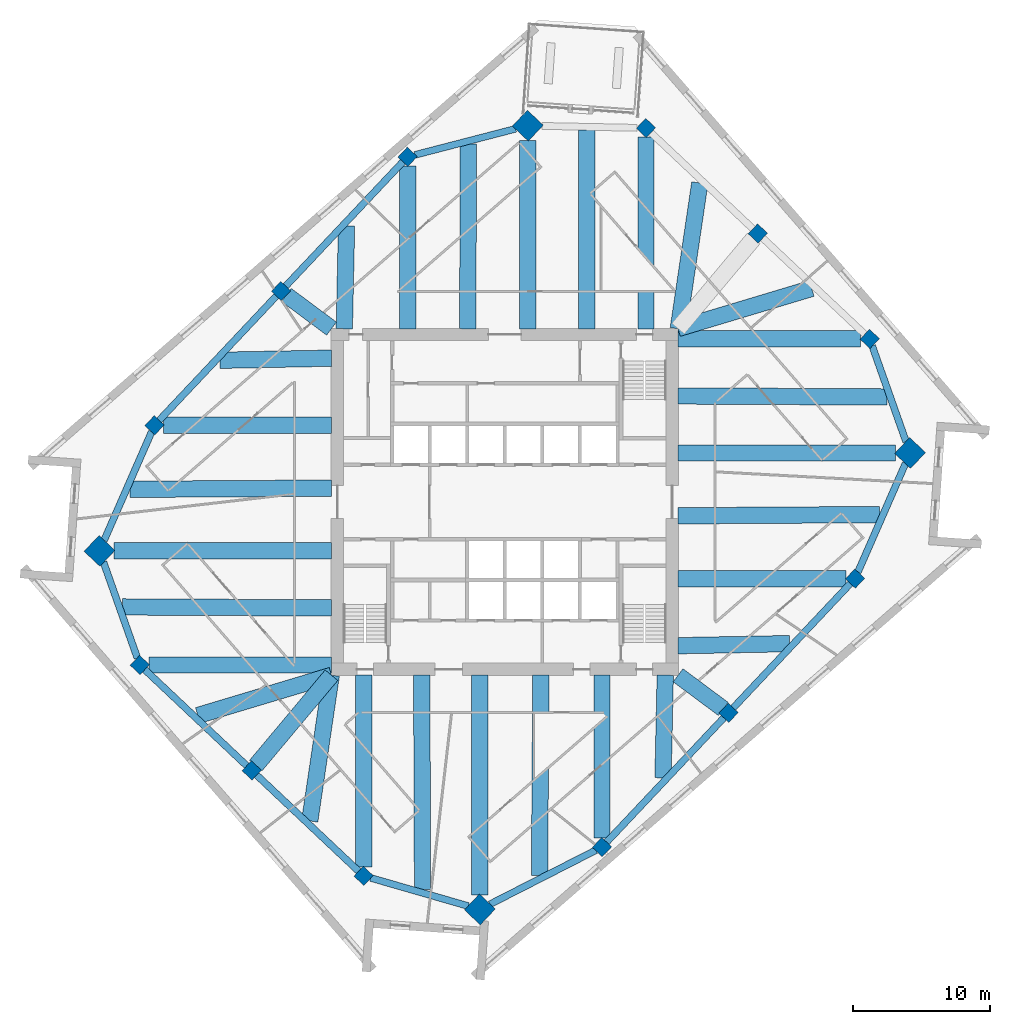
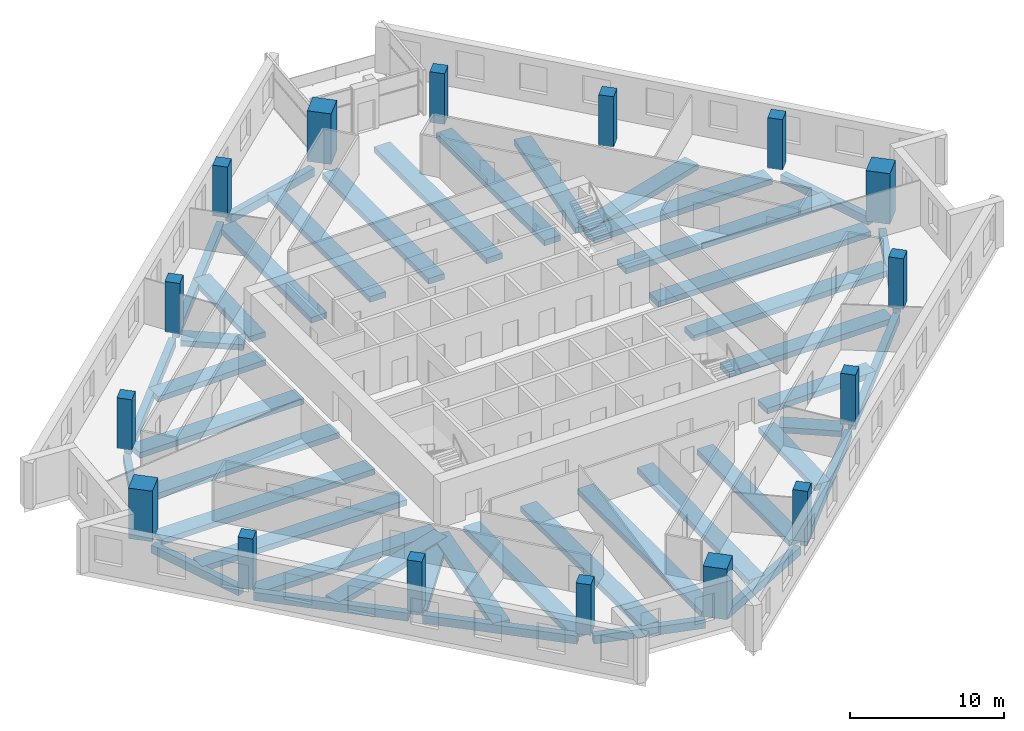
# One storey, part 1 of 11: 44 beams, 16 columns.
"""IFC4 building model written with IfcOpenShell, lengths in metres."""

from ifc_helpers import new_model, si_unit, direction, frame, origin, origin_2d, place, context, subcontext, project, spatial, rectangle, extrude, material, material_profile, profile_set, type_object, element, save


model = new_model("IFC4")

# Units and contexts
model_context = context("Model", 3, precision=1e-05, world=origin(), true_north=direction((0.0, 1.0)))
body_context = subcontext(model_context, "Body", "Model", "MODEL_VIEW")
ifc_project = project(units=[si_unit("LENGTHUNIT", "METRE"), si_unit("AREAUNIT", "SQUARE_METRE"), si_unit("VOLUMEUNIT", "CUBIC_METRE"), si_unit("PLANEANGLEUNIT", "RADIAN"), si_unit("MASSUNIT", "GRAM", prefix="KILO")], contexts=[model_context])

# Site, building, storey
site_placement = place(None, origin())
site = spatial("IfcSite", under=ifc_project, at=site_placement, CompositionType="ELEMENT")
building_placement = place(site_placement, origin())
building = spatial("IfcBuilding", under=site, at=building_placement, Name="Dilmun Exchange Tower", CompositionType="ELEMENT")
storey_placement = place(building_placement, frame((0.0, 0.0, 193.300048828125)))
storey = spatial("IfcBuildingStorey", under=building, at=storey_placement, Name="L45", CompositionType="ELEMENT", Elevation=193.300048828125)

# Columns
ifc_material_1 = material(Name="Concrete C60/75", Category="concrete")
ifc_material_profile_1 = material_profile(ifc_material_1, rectangle(XDim=1.60009765625, YDim=1.60009765625, at=origin_2d()), Name="1600 x 1600")
ifc_profile_set_1 = profile_set([ifc_material_profile_1], Name="Concrete C60/75")
column_type_1 = type_object("IfcColumnType", Name="RC mega column 1600 x 1600 C60/75", PredefinedType="COLUMN", material=ifc_profile_set_1)
for number, where, z_axis, x_axis, name in (
    (1, (1.68505859375, 27.5380859375, 0.0), (0.0, 0.0, 1.0), (0.685916152371, 0.727680583715, 0.0), "Mega column M1"),
    (2, (-29.658935546875, -3.58203125, 0.0), (0.0, 0.0, 1.0), (0.685916152371, 0.727680583715, 0.0), "Mega column M2"),
    (3, (-1.824951171875, -29.818115234375, 0.0), (0.0, 0.0, 1.0), (0.685916152371, 0.727680583715, 0.0), "Mega column M3"),
    (4, (29.658935546875, 3.58203125, 0.0), (0.0, 0.0, 1.0), (0.685916152371, 0.727680583715, 0.0), "Mega column M4"),
):
    element("IfcColumn", number, at=place(storey_placement, frame(where, z_axis=z_axis, x_axis=x_axis)), inside=storey, type_object=column_type_1, Name=name, PredefinedType="COLUMN", context=body_context, shape_type="SweptSolid", body=[
        extrude(rectangle(XDim=1.60009765625, YDim=1.60009765625, at=origin_2d()), origin(), (0.0, 0.0, 1.0), 4.0),
    ])
ifc_material_profile_2 = material_profile(ifc_material_1, rectangle(XDim=1.0, YDim=1.0, at=origin_2d()), Name="1000 x 1000")
ifc_profile_set_2 = profile_set([ifc_material_profile_2], Name="Concrete C60/75")
column_type_2 = type_object("IfcColumnType", Name="RC ring column 1000 x 1000 C60/75", PredefinedType="COLUMN", material=ifc_profile_set_2)
for number, where, z_axis, x_axis, name in (
    (5, (-7.113037109375, 25.257080078125, 0.0), (0.0, 0.0, 1.0), (0.685916152371, 0.727680583715, 0.0), "Ring column R01"),
    (6, (-16.373046875, 15.43310546875, 0.0), (0.0, 0.0, 1.0), (0.685916152371, 0.727680583715, 0.0), "Ring column R02"),
    (7, (-25.633056640625, 5.60888671875, 0.0), (0.0, 0.0, 1.0), (0.685916152371, 0.727680583715, 0.0), "Ring column R03"),
    (8, (-26.7060546875, -11.930908203125, 0.0), (0.0, 0.0, 1.0), (0.685916152371, 0.727680583715, 0.0), "Ring column R04"),
    (9, (-18.52001953125, -19.64697265625, 0.0), (0.0, 0.0, 1.0), (0.685916152371, 0.727680583715, 0.0), "Ring column R05"),
    (10, (-10.3330078125, -27.364013671875, 0.0), (0.0, 0.0, 1.0), (0.685916152371, 0.727680583715, 0.0), "Ring column R06"),
    (11, (7.113037109375, -25.257080078125, 0.0), (0.0, 0.0, 1.0), (0.685916152371, 0.727680583715, 0.0), "Ring column R07"),
    (12, (16.373046875, -15.43310546875, 0.0), (0.0, 0.0, 1.0), (0.685916152371, 0.727680583715, 0.0), "Ring column R08"),
    (13, (25.633056640625, -5.60888671875, 0.0), (0.0, 0.0, 1.0), (0.685916152371, 0.727680583715, 0.0), "Ring column R09"),
    (14, (26.7060546875, 11.930908203125, 0.0), (0.0, 0.0, 1.0), (0.685916152371, 0.727680583715, 0.0), "Ring column R10"),
    (15, (18.52001953125, 19.64697265625, 0.0), (0.0, 0.0, 1.0), (0.685916152371, 0.727680583715, 0.0), "Ring column R11"),
    (16, (10.3330078125, 27.364013671875, 0.0), (0.0, 0.0, 1.0), (0.685916152371, 0.727680583715, 0.0), "Ring column R12"),
):
    element("IfcColumn", number, at=place(storey_placement, frame(where, z_axis=z_axis, x_axis=x_axis)), inside=storey, type_object=column_type_2, Name=name, PredefinedType="COLUMN", context=body_context, shape_type="SweptSolid", body=[
        extrude(rectangle(XDim=1.0, YDim=1.0, at=origin_2d()), origin(), (0.0, 0.0, 1.0), 4.0),
    ])

# Beams
ifc_material_2 = material(Name="Concrete C40/50", Category="concrete")
ifc_material_profile_3 = material_profile(ifc_material_2, rectangle(XDim=1.199951171875, YDim=0.449951171875, at=origin_2d()), Name="1200 x 450")
ifc_profile_set_3 = profile_set([ifc_material_profile_3], Name="Concrete C40/50")
beam_type_1 = type_object("IfcBeamType", Name="RC band beam 1200 x 450 C40/50", PredefinedType="BEAM", material=ifc_profile_set_3)
beam_1_placement = place(storey_placement, frame((1.68505859375, 26.465576171875, -0.705078125), z_axis=(0.0, -1.0, 0.0), x_axis=(1.0, 0.0, 0.0)))
element("IfcBeam", 17, at=beam_1_placement, inside=storey, type_object=beam_type_1, Name="Band beam 1", PredefinedType="BEAM", context=body_context, shape_type="SweptSolid", body=[
    extrude(rectangle(XDim=1.199951171875, YDim=0.449951171875, at=origin_2d()), origin(), (0.0, 0.0, 1.0), 13.79248046875),
])
beam_2_placement = place(storey_placement, frame((-7.113037109375, 24.596923828125, -0.705078125), z_axis=(0.0, -1.0, 0.0), x_axis=(1.0, 0.0, 0.0)))
element("IfcBeam", 18, at=beam_2_placement, inside=storey, type_object=beam_type_1, Name="Band beam 2", PredefinedType="BEAM", context=body_context, shape_type="SweptSolid", body=[
    extrude(rectangle(XDim=1.199951171875, YDim=0.449951171875, at=origin_2d()), origin(), (0.0, 0.0, 1.0), 11.923828125),
])
beam_3_placement = place(storey_placement, frame((-15.99072265625, 15.148681640625, -0.705078125), z_axis=(0.802264832552, -0.596968289317, 0.0), x_axis=(0.596968289317, 0.802264832552, 0.0)))
element("IfcBeam", 19, at=beam_3_placement, inside=storey, type_object=beam_type_1, Name="Band beam 3", PredefinedType="BEAM", context=body_context, shape_type="SweptSolid", body=[
    extrude(rectangle(XDim=1.199951171875, YDim=0.449951171875, at=origin_2d()), origin(), (0.0, 0.0, 1.0), 4.12890625),
])
beam_4_placement = place(storey_placement, frame((-24.972900390625, 5.60888671875, -0.705078125), z_axis=(1.0, 0.0, 0.0), x_axis=(0.0, 1.0, 0.0)))
element("IfcBeam", 20, at=beam_4_placement, inside=storey, type_object=beam_type_1, Name="Band beam 4", PredefinedType="BEAM", context=body_context, shape_type="SweptSolid", body=[
    extrude(rectangle(XDim=1.199951171875, YDim=0.449951171875, at=origin_2d()), origin(), (0.0, 0.0, 1.0), 12.2998046875),
])
beam_5_placement = place(storey_placement, frame((-28.586669921875, -3.58203125, -0.705078125), z_axis=(1.0, 0.0, 0.0), x_axis=(0.0, 1.0, 0.0)))
element("IfcBeam", 21, at=beam_5_placement, inside=storey, type_object=beam_type_1, Name="Band beam 5", PredefinedType="BEAM", context=body_context, shape_type="SweptSolid", body=[
    extrude(rectangle(XDim=1.199951171875, YDim=0.449951171875, at=origin_2d()), origin(), (0.0, 0.0, 1.0), 15.91357421875),
])
beam_6_placement = place(storey_placement, frame((-26.0458984375, -11.930908203125, -0.705078125), z_axis=(1.0, 0.0, 0.0), x_axis=(0.0, 1.0, 0.0)))
element("IfcBeam", 22, at=beam_6_placement, inside=storey, type_object=beam_type_1, Name="Band beam 6", PredefinedType="BEAM", context=body_context, shape_type="SweptSolid", body=[
    extrude(rectangle(XDim=1.199951171875, YDim=0.449951171875, at=origin_2d()), origin(), (0.0, 0.0, 1.0), 13.372802734375),
])
beam_7_placement = place(storey_placement, frame((-18.2158203125, -19.28369140625, -0.705078125), z_axis=(0.642200063897, 0.766537068856, 0.0), x_axis=(-0.766537068856, 0.642200063897, 0.0)))
element("IfcBeam", 23, at=beam_7_placement, inside=storey, type_object=beam_type_1, Name="Band beam 7", PredefinedType="BEAM", context=body_context, shape_type="SweptSolid", body=[
    extrude(rectangle(XDim=1.199951171875, YDim=0.449951171875, at=origin_2d()), origin(), (0.0, 0.0, 1.0), 8.615966796875),
])
beam_8_placement = place(storey_placement, frame((-10.3330078125, -26.703857421875, -0.705078125), z_axis=(0.0, 1.0, 0.0), x_axis=(-1.0, 0.0, 0.0)))
element("IfcBeam", 24, at=beam_8_placement, inside=storey, type_object=beam_type_1, Name="Band beam 8", PredefinedType="BEAM", context=body_context, shape_type="SweptSolid", body=[
    extrude(rectangle(XDim=1.199951171875, YDim=0.449951171875, at=origin_2d()), origin(), (0.0, 0.0, 1.0), 14.03076171875),
])
beam_9_placement = place(storey_placement, frame((-1.824951171875, -28.74560546875, -0.705078125), z_axis=(0.0, 1.0, 0.0), x_axis=(-1.0, 0.0, 0.0)))
element("IfcBeam", 25, at=beam_9_placement, inside=storey, type_object=beam_type_1, Name="Band beam 9", PredefinedType="BEAM", context=body_context, shape_type="SweptSolid", body=[
    extrude(rectangle(XDim=1.199951171875, YDim=0.449951171875, at=origin_2d()), origin(), (0.0, 0.0, 1.0), 16.072509765625),
])
beam_10_placement = place(storey_placement, frame((7.113037109375, -24.596923828125, -0.705078125), z_axis=(0.0, 1.0, 0.0), x_axis=(-1.0, 0.0, 0.0)))
element("IfcBeam", 26, at=beam_10_placement, inside=storey, type_object=beam_type_1, Name="Band beam 10", PredefinedType="BEAM", context=body_context, shape_type="SweptSolid", body=[
    extrude(rectangle(XDim=1.199951171875, YDim=0.449951171875, at=origin_2d()), origin(), (0.0, 0.0, 1.0), 11.923828125),
])
beam_11_placement = place(storey_placement, frame((15.99072265625, -15.148681640625, -0.705078125), z_axis=(-0.802264832552, 0.596968289317, 0.0), x_axis=(-0.596968289317, -0.802264832552, 0.0)))
element("IfcBeam", 27, at=beam_11_placement, inside=storey, type_object=beam_type_1, Name="Band beam 11", PredefinedType="BEAM", context=body_context, shape_type="SweptSolid", body=[
    extrude(rectangle(XDim=1.199951171875, YDim=0.449951171875, at=origin_2d()), origin(), (0.0, 0.0, 1.0), 4.12890625),
])
beam_12_placement = place(storey_placement, frame((24.972900390625, -5.60888671875, -0.705078125), z_axis=(-1.0, 0.0, 0.0), x_axis=(0.0, -1.0, 0.0)))
element("IfcBeam", 28, at=beam_12_placement, inside=storey, type_object=beam_type_1, Name="Band beam 12", PredefinedType="BEAM", context=body_context, shape_type="SweptSolid", body=[
    extrude(rectangle(XDim=1.199951171875, YDim=0.449951171875, at=origin_2d()), origin(), (0.0, 0.0, 1.0), 12.2998046875),
])
beam_13_placement = place(storey_placement, frame((28.586669921875, 3.58203125, -0.705078125), z_axis=(-1.0, 0.0, 0.0), x_axis=(0.0, -1.0, 0.0)))
element("IfcBeam", 29, at=beam_13_placement, inside=storey, type_object=beam_type_1, Name="Band beam 13", PredefinedType="BEAM", context=body_context, shape_type="SweptSolid", body=[
    extrude(rectangle(XDim=1.199951171875, YDim=0.449951171875, at=origin_2d()), origin(), (0.0, 0.0, 1.0), 15.91357421875),
])
beam_14_placement = place(storey_placement, frame((26.0458984375, 11.930908203125, -0.705078125), z_axis=(-1.0, 0.0, 0.0), x_axis=(0.0, -1.0, 0.0)))
element("IfcBeam", 30, at=beam_14_placement, inside=storey, type_object=beam_type_1, Name="Band beam 14", PredefinedType="BEAM", context=body_context, shape_type="SweptSolid", body=[
    extrude(rectangle(XDim=1.199951171875, YDim=0.449951171875, at=origin_2d()), origin(), (0.0, 0.0, 1.0), 13.372802734375),
])
beam_15_placement = place(storey_placement, frame((10.3330078125, 26.703857421875, -0.705078125), z_axis=(0.0, -1.0, 0.0), x_axis=(1.0, 0.0, 0.0)))
element("IfcBeam", 31, at=beam_15_placement, inside=storey, type_object=beam_type_1, Name="Band beam 16", PredefinedType="BEAM", context=body_context, shape_type="SweptSolid", body=[
    extrude(rectangle(XDim=1.199951171875, YDim=0.449951171875, at=origin_2d()), origin(), (0.0, 0.0, 1.0), 14.03076171875),
])
beam_16_placement = place(storey_placement, frame((-2.657958984375, 26.181640625, -0.60498046875), z_axis=(-0.004156765881, -0.999991360611, 0.0), x_axis=(0.999991360611, -0.004156765881, 0.0)))
element("IfcBeam", 32, at=beam_16_placement, inside=storey, type_object=beam_type_1, Name="Band beam 17", PredefinedType="BEAM", context=body_context, shape_type="SweptSolid", body=[
    extrude(rectangle(XDim=1.199951171875, YDim=0.449951171875, at=origin_2d()), origin(), (0.0, 0.0, 1.0), 13.508544921875),
])
beam_17_placement = place(storey_placement, frame((-11.580810546875, 20.19189453125, -0.60498046875), z_axis=(-0.021555532074, -0.999767652526, 0.0), x_axis=(0.999767652526, -0.021555532074, 0.0)))
element("IfcBeam", 33, at=beam_17_placement, inside=storey, type_object=beam_type_1, Name="Band beam 18", PredefinedType="BEAM", context=body_context, shape_type="SweptSolid", body=[
    extrude(rectangle(XDim=1.199951171875, YDim=0.449951171875, at=origin_2d()), origin(), (0.0, 0.0, 1.0), 7.5205078125),
])
beam_18_placement = place(storey_placement, frame((-20.8408203125, 10.367919921875, -0.60498046875), z_axis=(0.999824422594, 0.018738302585, 0.0), x_axis=(-0.018738302585, 0.999824422594, 0.0)))
element("IfcBeam", 34, at=beam_18_placement, inside=storey, type_object=beam_type_1, Name="Band beam 19", PredefinedType="BEAM", context=body_context, shape_type="SweptSolid", body=[
    extrude(rectangle(XDim=1.199951171875, YDim=0.449951171875, at=origin_2d()), origin(), (0.0, 0.0, 1.0), 8.169189453125),
])
beam_19_placement = place(storey_placement, frame((-27.441650390625, 0.924072265625, -0.60498046875), z_axis=(0.999981696912, 0.006050276087, 0.0), x_axis=(-0.006050276087, 0.999981696912, 0.0)))
element("IfcBeam", 35, at=beam_19_placement, inside=storey, type_object=beam_type_1, Name="Band beam 20", PredefinedType="BEAM", context=body_context, shape_type="SweptSolid", body=[
    extrude(rectangle(XDim=1.199951171875, YDim=0.449951171875, at=origin_2d()), origin(), (0.0, 0.0, 1.0), 14.768798828125),
])
beam_20_placement = place(storey_placement, frame((-27.972412109375, -7.68212890625, -0.60498046875), z_axis=(0.99998815601, -0.004867015408, 0.0), x_axis=(0.004867015408, 0.99998815601, 0.0)))
element("IfcBeam", 36, at=beam_20_placement, inside=storey, type_object=beam_type_1, Name="Band beam 21", PredefinedType="BEAM", context=body_context, shape_type="SweptSolid", body=[
    extrude(rectangle(XDim=1.199951171875, YDim=0.449951171875, at=origin_2d()), origin(), (0.0, 0.0, 1.0), 15.299560546875),
])
beam_21_placement = place(storey_placement, frame((-22.4599609375, -15.626708984375, -0.60498046875), z_axis=(0.957849959988, 0.287268957862, 0.0), x_axis=(-0.287268957862, 0.957849959988, 0.0)))
element("IfcBeam", 37, at=beam_21_placement, inside=storey, type_object=beam_type_1, Name="Band beam 22", PredefinedType="BEAM", context=body_context, shape_type="SweptSolid", body=[
    extrude(rectangle(XDim=1.199951171875, YDim=0.449951171875, at=origin_2d()), origin(), (0.0, 0.0, 1.0), 10.21630859375),
])
beam_22_placement = place(storey_placement, frame((-14.2734375, -23.34326171875, -0.60498046875), z_axis=(0.146268101323, 0.989244986106, 0.0), x_axis=(-0.989244986106, 0.146268101323, 0.0)))
element("IfcBeam", 38, at=beam_22_placement, inside=storey, type_object=beam_type_1, Name="Band beam 23", PredefinedType="BEAM", context=body_context, shape_type="SweptSolid", body=[
    extrude(rectangle(XDim=1.199951171875, YDim=0.449951171875, at=origin_2d()), origin(), (0.0, 0.0, 1.0), 10.785888671875),
])
beam_23_placement = place(storey_placement, frame((-6.01708984375, -28.376708984375, -0.60498046875), z_axis=(-0.003948851398, 0.999992203256, 0.0), x_axis=(-0.999992203256, -0.003948851398, 0.0)))
element("IfcBeam", 39, at=beam_23_placement, inside=storey, type_object=beam_type_1, Name="Band beam 24", PredefinedType="BEAM", context=body_context, shape_type="SweptSolid", body=[
    extrude(rectangle(XDim=1.199951171875, YDim=0.449951171875, at=origin_2d()), origin(), (0.0, 0.0, 1.0), 15.703857421875),
])
beam_24_placement = place(storey_placement, frame((2.54248046875, -27.3388671875, -0.60498046875), z_axis=(0.006924972536, 0.99997602209, 0.0), x_axis=(-0.99997602209, 0.006924972536, 0.0)))
element("IfcBeam", 40, at=beam_24_placement, inside=storey, type_object=beam_type_1, Name="Band beam 25", PredefinedType="BEAM", context=body_context, shape_type="SweptSolid", body=[
    extrude(rectangle(XDim=1.199951171875, YDim=0.449951171875, at=origin_2d()), origin(), (0.0, 0.0, 1.0), 14.666015625),
])
beam_25_placement = place(storey_placement, frame((11.580810546875, -20.19189453125, -0.60498046875), z_axis=(0.021555532074, 0.999767652526, 0.0), x_axis=(-0.999767652526, 0.021555532074, 0.0)))
element("IfcBeam", 41, at=beam_25_placement, inside=storey, type_object=beam_type_1, Name="Band beam 26", PredefinedType="BEAM", context=body_context, shape_type="SweptSolid", body=[
    extrude(rectangle(XDim=1.199951171875, YDim=0.449951171875, at=origin_2d()), origin(), (0.0, 0.0, 1.0), 7.5205078125),
])
beam_26_placement = place(storey_placement, frame((20.8408203125, -10.367919921875, -0.60498046875), z_axis=(-0.999824422594, -0.018738302585, 0.0), x_axis=(0.018738302585, -0.999824422594, 0.0)))
element("IfcBeam", 42, at=beam_26_placement, inside=storey, type_object=beam_type_1, Name="Band beam 27", PredefinedType="BEAM", context=body_context, shape_type="SweptSolid", body=[
    extrude(rectangle(XDim=1.199951171875, YDim=0.449951171875, at=origin_2d()), origin(), (0.0, 0.0, 1.0), 8.169189453125),
])
beam_27_placement = place(storey_placement, frame((27.441650390625, -0.924072265625, -0.60498046875), z_axis=(-0.999981696912, -0.006050276087, 0.0), x_axis=(0.006050276087, -0.999981696912, 0.0)))
element("IfcBeam", 43, at=beam_27_placement, inside=storey, type_object=beam_type_1, Name="Band beam 28", PredefinedType="BEAM", context=body_context, shape_type="SweptSolid", body=[
    extrude(rectangle(XDim=1.199951171875, YDim=0.449951171875, at=origin_2d()), origin(), (0.0, 0.0, 1.0), 14.768798828125),
])
beam_28_placement = place(storey_placement, frame((27.972412109375, 7.68212890625, -0.60498046875), z_axis=(-0.99998815601, 0.004867015408, 0.0), x_axis=(-0.004867015408, -0.99998815601, 0.0)))
element("IfcBeam", 44, at=beam_28_placement, inside=storey, type_object=beam_type_1, Name="Band beam 29", PredefinedType="BEAM", context=body_context, shape_type="SweptSolid", body=[
    extrude(rectangle(XDim=1.199951171875, YDim=0.449951171875, at=origin_2d()), origin(), (0.0, 0.0, 1.0), 15.299560546875),
])
beam_29_placement = place(storey_placement, frame((22.4599609375, 15.626708984375, -0.60498046875), z_axis=(-0.957849959988, -0.287268957862, 0.0), x_axis=(0.287268957862, -0.957849959988, 0.0)))
element("IfcBeam", 45, at=beam_29_placement, inside=storey, type_object=beam_type_1, Name="Band beam 30", PredefinedType="BEAM", context=body_context, shape_type="SweptSolid", body=[
    extrude(rectangle(XDim=1.199951171875, YDim=0.449951171875, at=origin_2d()), origin(), (0.0, 0.0, 1.0), 10.21630859375),
])
beam_30_placement = place(storey_placement, frame((14.2734375, 23.34326171875, -0.60498046875), z_axis=(-0.146268101323, -0.989244986106, 0.0), x_axis=(0.989244986106, -0.146268101323, 0.0)))
element("IfcBeam", 46, at=beam_30_placement, inside=storey, type_object=beam_type_1, Name="Band beam 31", PredefinedType="BEAM", context=body_context, shape_type="SweptSolid", body=[
    extrude(rectangle(XDim=1.199951171875, YDim=0.449951171875, at=origin_2d()), origin(), (0.0, 0.0, 1.0), 10.785888671875),
])
beam_31_placement = place(storey_placement, frame((6.00439453125, 27.22802734375, -0.60498046875), z_axis=(0.000318701025, -0.999999949215, 0.0), x_axis=(0.999999949215, 0.000318701025, 0.0)))
element("IfcBeam", 47, at=beam_31_placement, inside=storey, type_object=beam_type_1, Name="Band beam 32", PredefinedType="BEAM", context=body_context, shape_type="SweptSolid", body=[
    extrude(rectangle(XDim=1.199951171875, YDim=0.449951171875, at=origin_2d()), origin(), (0.0, 0.0, 1.0), 14.554931640625),
])
ifc_material_profile_4 = material_profile(ifc_material_2, rectangle(XDim=0.5, YDim=0.64990234375, at=origin_2d()), Name="500 x 650")
ifc_profile_set_4 = profile_set([ifc_material_profile_4], Name="Concrete C40/50")
beam_type_2 = type_object("IfcBeamType", Name="RC ring beam 500 x 650 C40/50", PredefinedType="SPANDREL", material=ifc_profile_set_4)
beam_32_placement = place(storey_placement, frame((0.79638671875, 27.3076171875, -0.705078125), z_axis=(-0.967995165605, -0.250968841424, 0.0), x_axis=(0.250968841424, -0.967995165605, 0.0)))
element("IfcBeam", 48, at=beam_32_placement, inside=storey, type_object=beam_type_2, Name="Ring beam 1", PredefinedType="SPANDREL", context=body_context, shape_type="SweptSolid", body=[
    extrude(rectangle(XDim=0.5, YDim=0.64990234375, at=origin_2d()), origin(), (0.0, 0.0, 1.0), 7.607177734375),
])
for number, where, z_axis, x_axis, name in (
    (49, (-7.4375, 24.912841796875, -0.705078125), (-0.685902559512, -0.727693396188, 0.0), (0.727693396188, -0.685902559512, 0.0), "Ring beam 2"),
    (50, (-16.697509765625, 15.0888671875, -0.705078125), (-0.685902559512, -0.727693396188, 0.0), (0.727693396188, -0.685902559512, 0.0), "Ring beam 3"),
):
    element("IfcBeam", number, at=place(storey_placement, frame(where, z_axis=z_axis, x_axis=x_axis)), inside=storey, type_object=beam_type_2, Name=name, PredefinedType="SPANDREL", context=body_context, shape_type="SweptSolid", body=[
        extrude(rectangle(XDim=0.5, YDim=0.64990234375, at=origin_2d()), origin(), (0.0, 0.0, 1.0), 12.554443359375),
    ])
beam_33_placement = place(storey_placement, frame((-25.835205078125, 5.1474609375, -0.705078125), z_axis=(-0.401239440722, -0.915973204416, 0.0), x_axis=(0.915973204416, -0.401239440722, 0.0)))
element("IfcBeam", 51, at=beam_33_placement, inside=storey, type_object=beam_type_2, Name="Ring beam 4", PredefinedType="SPANDREL", context=body_context, shape_type="SweptSolid", body=[
    extrude(rectangle(XDim=0.5, YDim=0.64990234375, at=origin_2d()), origin(), (0.0, 0.0, 1.0), 8.707763671875),
])
beam_34_placement = place(storey_placement, frame((-29.367919921875, -4.404541015625, -0.705078125), z_axis=(0.333423578623, -0.942777130195, 0.0), x_axis=(0.942777130195, 0.333423578623, 0.0)))
element("IfcBeam", 52, at=beam_34_placement, inside=storey, type_object=beam_type_2, Name="Ring beam 5", PredefinedType="SPANDREL", context=body_context, shape_type="SweptSolid", body=[
    extrude(rectangle(XDim=0.5, YDim=0.64990234375, at=origin_2d()), origin(), (0.0, 0.0, 1.0), 7.4482421875),
])
beam_35_placement = place(storey_placement, frame((-26.36181640625, -12.25537109375, -0.705078125), z_axis=(0.727685706374, -0.68591071776, 0.0), x_axis=(0.68591071776, 0.727685706374, 0.0)))
element("IfcBeam", 53, at=beam_35_placement, inside=storey, type_object=beam_type_2, Name="Ring beam 6", PredefinedType="SPANDREL", context=body_context, shape_type="SweptSolid", body=[
    extrude(rectangle(XDim=0.5, YDim=0.64990234375, at=origin_2d()), origin(), (0.0, 0.0, 1.0), 10.30322265625),
])
beam_36_placement = place(storey_placement, frame((-18.17578125, -19.971435546875, -0.705078125), z_axis=(0.727682990869, -0.685913598641, 0.0), x_axis=(0.685913598641, 0.727682990869, 0.0)))
element("IfcBeam", 54, at=beam_36_placement, inside=storey, type_object=beam_type_2, Name="Ring beam 7", PredefinedType="SPANDREL", context=body_context, shape_type="SweptSolid", body=[
    extrude(rectangle(XDim=0.5, YDim=0.64990234375, at=origin_2d()), origin(), (0.0, 0.0, 1.0), 10.3046875),
])
beam_37_placement = place(storey_placement, frame((-9.818603515625, -27.51220703125, -0.705078125), z_axis=(0.960825605861, -0.277153666983, 0.0), x_axis=(0.277153666983, 0.960825605861, 0.0)))
element("IfcBeam", 55, at=beam_37_placement, inside=storey, type_object=beam_type_2, Name="Ring beam 8", PredefinedType="SPANDREL", context=body_context, shape_type="SweptSolid", body=[
    extrude(rectangle(XDim=0.5, YDim=0.64990234375, at=origin_2d()), origin(), (0.0, 0.0, 1.0), 7.447021484375),
])
beam_38_placement = place(storey_placement, frame((-1.09228515625, -29.444091796875, -0.705078125), z_axis=(0.89072990219, 0.454532992581, 0.0), x_axis=(-0.454532992581, 0.89072990219, 0.0)))
element("IfcBeam", 56, at=beam_38_placement, inside=storey, type_object=beam_type_2, Name="Ring beam 9", PredefinedType="SPANDREL", context=body_context, shape_type="SweptSolid", body=[
    extrude(rectangle(XDim=0.5, YDim=0.64990234375, at=origin_2d()), origin(), (0.0, 0.0, 1.0), 8.707763671875),
])
for number, where, z_axis, x_axis, name in (
    (57, (7.4375, -24.912841796875, -0.705078125), (0.685902559512, 0.727693396188, 0.0), (-0.727693396188, 0.685902559512, 0.0), "Ring beam 10"),
    (58, (16.697509765625, -15.0888671875, -0.705078125), (0.685902559512, 0.727693396188, 0.0), (-0.727693396188, 0.685902559512, 0.0), "Ring beam 11"),
):
    element("IfcBeam", number, at=place(storey_placement, frame(where, z_axis=z_axis, x_axis=x_axis)), inside=storey, type_object=beam_type_2, Name=name, PredefinedType="SPANDREL", context=body_context, shape_type="SweptSolid", body=[
        extrude(rectangle(XDim=0.5, YDim=0.64990234375, at=origin_2d()), origin(), (0.0, 0.0, 1.0), 12.554443359375),
    ])
beam_39_placement = place(storey_placement, frame((25.835205078125, -5.1474609375, -0.705078125), z_axis=(0.401239440722, 0.915973204416, 0.0), x_axis=(-0.915973204416, 0.401239440722, 0.0)))
element("IfcBeam", 59, at=beam_39_placement, inside=storey, type_object=beam_type_2, Name="Ring beam 12", PredefinedType="SPANDREL", context=body_context, shape_type="SweptSolid", body=[
    extrude(rectangle(XDim=0.5, YDim=0.64990234375, at=origin_2d()), origin(), (0.0, 0.0, 1.0), 8.707763671875),
])
beam_40_placement = place(storey_placement, frame((29.367919921875, 4.404541015625, -0.705078125), z_axis=(-0.333423578623, 0.942777130195, 0.0), x_axis=(-0.942777130195, -0.333423578623, 0.0)))
element("IfcBeam", 60, at=beam_40_placement, inside=storey, type_object=beam_type_2, Name="Ring beam 13", PredefinedType="SPANDREL", context=body_context, shape_type="SweptSolid", body=[
    extrude(rectangle(XDim=0.5, YDim=0.64990234375, at=origin_2d()), origin(), (0.0, 0.0, 1.0), 7.4482421875),
])

save(model, "model.ifc")
